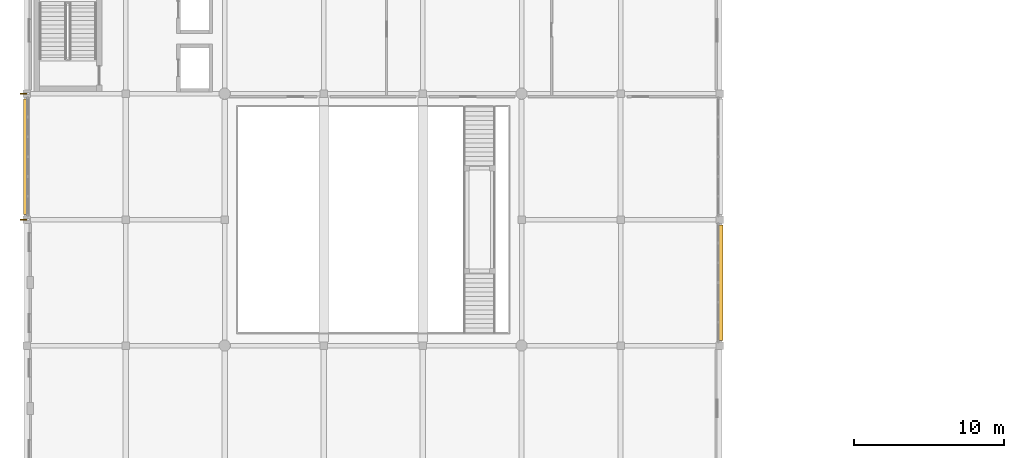
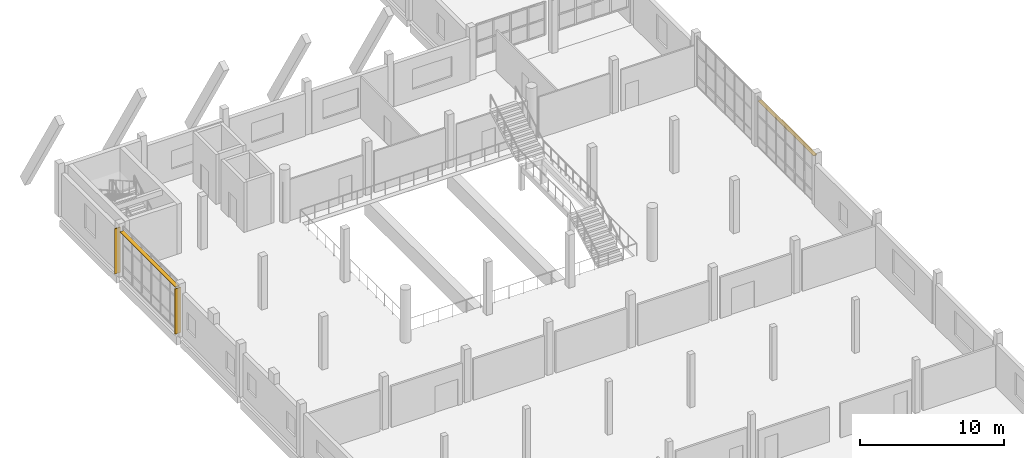
# One storey, part 66 of 76: 4 shading devices.
"""IFC4 building model written with IfcOpenShell, lengths in metres."""

from ifc_helpers import new_model, si_unit, direction, frame, origin, origin_2d, place, context, subcontext, project, spatial, rectangle, extrude, material, layer, layer_set, type_object, element, save


model = new_model("IFC4")

# Units and contexts
model_context = context("Model", 3, precision=1e-05, world=origin(), true_north=direction((0.0, 1.0)))
body_context = subcontext(model_context, "Body", "Model", "MODEL_VIEW")
ifc_project = project(units=[si_unit("LENGTHUNIT", "METRE"), si_unit("AREAUNIT", "SQUARE_METRE"), si_unit("VOLUMEUNIT", "CUBIC_METRE"), si_unit("PLANEANGLEUNIT", "RADIAN"), si_unit("MASSUNIT", "GRAM", prefix="KILO")], contexts=[model_context])

# Site, building, storey
site_placement = place(None, origin())
site = spatial("IfcSite", under=ifc_project, at=site_placement, CompositionType="ELEMENT")
building_placement = place(site_placement, origin())
building = spatial("IfcBuilding", under=site, at=building_placement, Name="Qaldarim Faculty of Natural and Applied Sciences", CompositionType="ELEMENT")
storey_placement = place(building_placement, frame((0.0, 0.0, 9.89990234375)))
storey = spatial("IfcBuildingStorey", under=building, at=storey_placement, Name="L02", CompositionType="ELEMENT", Elevation=9.89990234375)

# Shading devices
ifc_material = material(Name="Champagne anodised aluminium AW-6063", Category="aluminium")
ifc_layer_1 = layer(ifc_material, 0.050048828125)
ifc_layer_set_1 = layer_set([ifc_layer_1], Name="Champagne anodised aluminium AW-6063")
shading_device_type_1 = type_object("IfcShadingDeviceType", Name="SolarLouvre-ALU300x50", PredefinedType="JALOUSIE", material=ifc_layer_set_1)
for number, where, z_axis, x_axis, name in (
    (1, (-0.070068359375, 71.39990234375, 3.865234375), (0.0, 0.0, 1.0), (0.0, 1.0, 0.0), "Horizontal solar louvre L02 W X01Y09"),
    (2, (46.27001953125, 63.0, 3.865234375), (0.0, 0.0, 1.0), (0.0, 1.0, 0.0), "Horizontal solar louvre L02 E X07Y08"),
):
    element("IfcShadingDevice", number, at=place(storey_placement, frame(where, z_axis=z_axis, x_axis=x_axis)), inside=storey, type_object=shading_device_type_1, Name=name, PredefinedType="JALOUSIE", context=body_context, shape_type="SweptSolid", body=[
        extrude(rectangle(XDim=7.7099609375, YDim=0.300048828125, at=origin_2d()), origin(), (0.0, 0.0, 1.0), 0.050048828125),
    ])
ifc_layer_2 = layer(ifc_material, 0.06005859375)
ifc_layer_set_2 = layer_set([ifc_layer_2], Name="Champagne anodised aluminium AW-6063")
shading_device_type_2 = type_object("IfcShadingDeviceType", Name="VerticalSunFin-ALU450x60", PredefinedType="SHUTTER", material=ifc_layer_set_2)
for number, where, z_axis, x_axis, name in (
    (3, (-0.22509765625, 67.199951171875, 0.2001953125), (0.0, 0.0, 1.0), (1.0, 0.0, 0.0), "Vertical solar fin FIN-L02-X01Y09"),
    (4, (-0.22509765625, 75.60009765625, 0.2001953125), (0.0, 0.0, 1.0), (1.0, 0.0, 0.0), "Vertical solar fin FIN-L02-X01Y10"),
):
    element("IfcShadingDevice", number, at=place(storey_placement, frame(where, z_axis=z_axis, x_axis=x_axis)), inside=storey, type_object=shading_device_type_2, Name=name, PredefinedType="SHUTTER", context=body_context, shape_type="SweptSolid", body=[
        extrude(rectangle(XDim=0.449951171875, YDim=0.06005859375, at=origin_2d()), origin(), (0.0, 0.0, 1.0), 3.840087890625),
    ])

save(model, "model.ifc")
